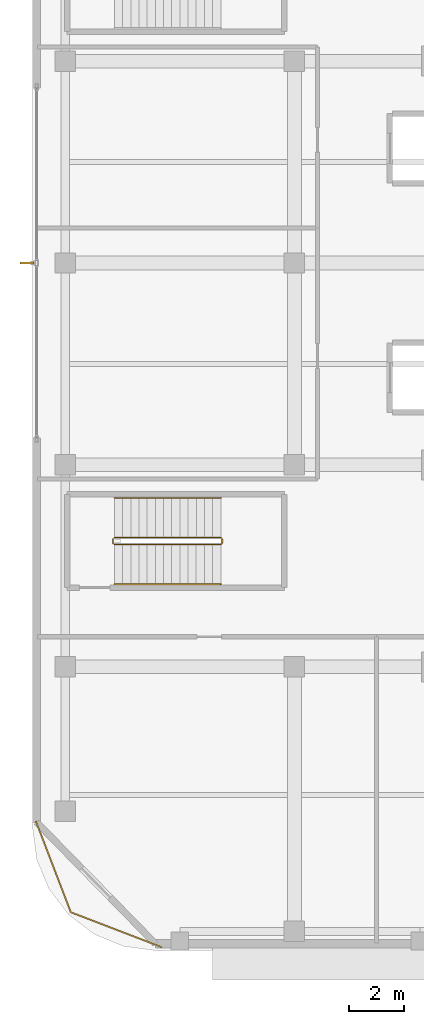
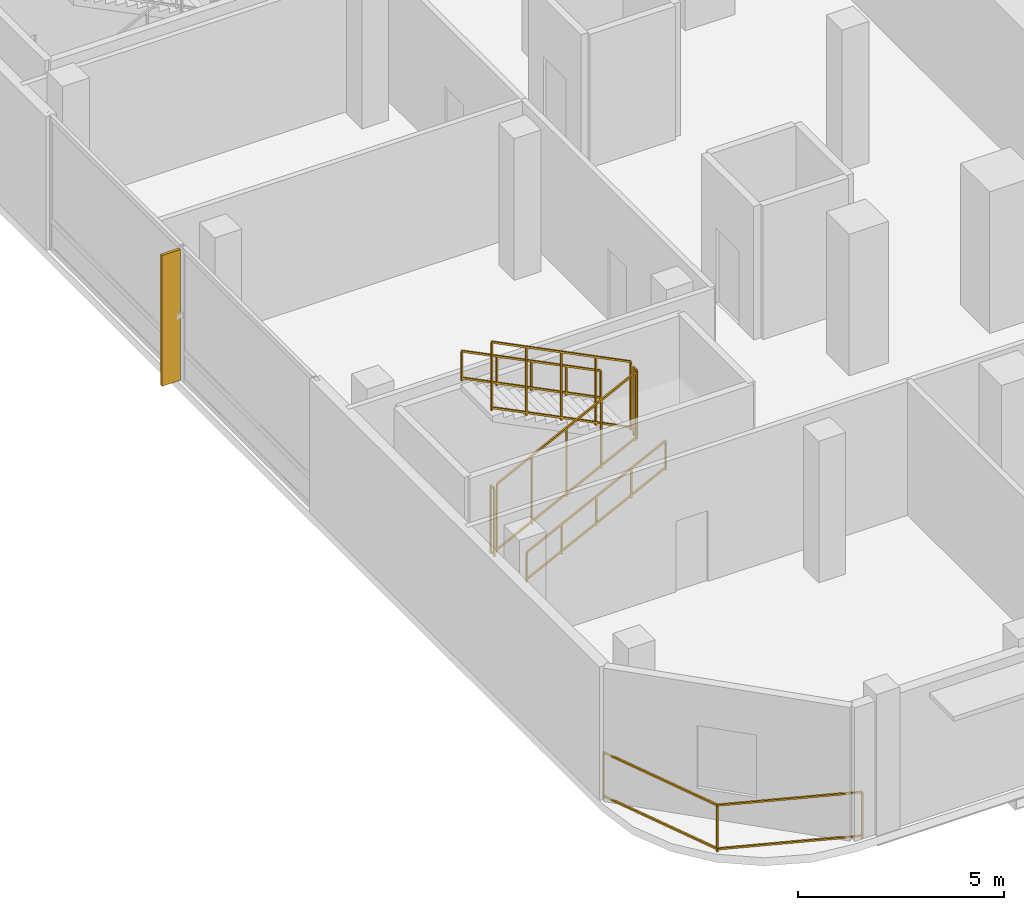
# One storey, part 13 of 19: 7 railings, 1 shading device.
"""IFC4 building model written with IfcOpenShell, lengths in metres."""

from ifc_helpers import new_model, si_unit, direction, frame, origin, origin_2d, place, context, subcontext, project, spatial, rectangle, extrude, material, layer, layer_set, type_object, element, save


model = new_model("IFC4")

# Units and contexts
model_context = context("Model", 3, precision=1e-05, world=origin(), true_north=direction((0.0, 1.0)))
body_context = subcontext(model_context, "Body", "Model", "MODEL_VIEW")
ifc_project = project(units=[si_unit("LENGTHUNIT", "METRE"), si_unit("AREAUNIT", "SQUARE_METRE"), si_unit("VOLUMEUNIT", "CUBIC_METRE"), si_unit("PLANEANGLEUNIT", "RADIAN"), si_unit("MASSUNIT", "GRAM", prefix="KILO")], contexts=[model_context])

# Site, building, storey
site_placement = place(None, origin())
site = spatial("IfcSite", under=ifc_project, at=site_placement, CompositionType="ELEMENT")
building_placement = place(site_placement, origin())
building = spatial("IfcBuilding", under=site, at=building_placement, Name="Khorvyn Point Tower", CompositionType="ELEMENT")
storey_placement = place(building_placement, frame((0.0, 0.0, 13.199951171875)))
storey = spatial("IfcBuildingStorey", under=building, at=storey_placement, Name="L04", CompositionType="ELEMENT", Elevation=13.199951171875)

# Shading device
ifc_material_1 = material(Name="Bronze anodised aluminium 6063-T6", Category="aluminium")
ifc_layer = layer(ifc_material_1, 0.074951171875)
ifc_layer_set = layer_set([ifc_layer], Name="Bronze Anodised Aluminium FIN 520x75")
shading_device_type = type_object("IfcShadingDeviceType", Name="Bronze Anodised Aluminium FIN 520x75", PredefinedType="USERDEFINED", material=ifc_layer_set)
shading_device_placement = place(storey_placement, frame((-33.800048828125, 0.0, 0.0400390625), z_axis=(0.0, 0.0, 1.0), x_axis=(-1.0, 0.0, 0.0)))
element("IfcShadingDevice", 1, at=shading_device_placement, inside=storey, type_object=shading_device_type, Name="L04 Anodised FIN 01", ObjectType="FIN", PredefinedType="USERDEFINED", context=body_context, shape_type="SweptSolid", body=[
    extrude(rectangle(XDim=0.52001953125, YDim=0.074951171875, at=origin_2d()), origin(), (0.0, 0.0, 1.0), 3.8798828125),
])

# Railings
ifc_material_2 = material(Name="Anodised aluminium 6063-T6 and laminated safety glass", Category="aluminium")
railing_type_1 = type_object("IfcRailingType", Name="Laminated Glass and Aluminium Balcony Guardrail 1400", PredefinedType="BALUSTRADE", material=ifc_material_2)
railing_1_placement = place(storey_placement, frame((-33.47412109375, -20.470703125, 0.0)))
element("IfcRailing", 2, at=railing_1_placement, inside=storey, type_object=railing_type_1, Name="L04 Rounded Corner Edge Guardrail SW", PredefinedType="BALUSTRADE", context=body_context, shape_type="SweptSolid", body=[
    extrude(rectangle(XDim=0.048095703125, YDim=0.048095703125, at=origin_2d()), frame((0.0, 0.0, 1.3759765625), z_axis=(0.35841886047, -0.933560882031, 0.0), x_axis=(0.933560882031, 0.35841886047, 0.0)), (0.0, 0.0, 1.0), 3.563232421875),
    extrude(rectangle(XDim=0.048095703125, YDim=0.048095703125, at=origin_2d()), frame((0.0, 0.0, 0.080078125), z_axis=(0.35841886047, -0.933560882031, 0.0), x_axis=(0.933560882031, 0.35841886047, 0.0)), (0.0, 0.0, 1.0), 3.563232421875),
    extrude(rectangle(XDim=0.048095703125, YDim=0.048095703125, at=origin_2d()), frame((1.277099609375, -3.326416015625, 1.3759765625), z_axis=(0.933575007025, -0.358382067435, 0.0), x_axis=(0.358382067435, 0.933575007025, 0.0)), (0.0, 0.0, 1.0), 3.562744140625),
    extrude(rectangle(XDim=0.048095703125, YDim=0.048095703125, at=origin_2d()), frame((1.277099609375, -3.326416015625, 0.080078125), z_axis=(0.933575007025, -0.358382067435, 0.0), x_axis=(0.358382067435, 0.933575007025, 0.0)), (0.0, 0.0, 1.0), 3.562744140625),
    extrude(rectangle(XDim=0.0419921875, YDim=0.0419921875, at=origin_2d()), origin(), (0.0, 0.0, 1.0), 1.351806640625),
    extrude(rectangle(XDim=0.0419921875, YDim=0.0419921875, at=origin_2d()), frame((1.277099609375, -3.326416015625, 0.0)), (0.0, 0.0, 1.0), 1.351806640625),
    extrude(rectangle(XDim=0.0419921875, YDim=0.0419921875, at=origin_2d()), frame((4.603271484375, -4.603271484375, 0.0)), (0.0, 0.0, 1.0), 1.351806640625),
])
ifc_material_3 = material(Name="Stainless steel 1.4301", Category="steel")
railing_type_2 = type_object("IfcRailingType", Name="Stainless Steel 304 Stair Pitch Handrail 900", PredefinedType="HANDRAIL", material=ifc_material_3)
railing_2_placement = place(storey_placement, frame((-30.60009765625, -11.77001953125, 0.150146484375)))
element("IfcRailing", 3, at=railing_2_placement, inside=storey, type_object=railing_type_2, Name="L04 ST-S1 stair handrail 1", PredefinedType="HANDRAIL", context=body_context, shape_type="SweptSolid", body=[
    extrude(rectangle(XDim=0.048095703125, YDim=0.048095703125, at=origin_2d()), frame((0.0, 0.0, 0.8759765625), z_axis=(0.894438388696, 0.0, 0.447191199406), x_axis=(0.0, 1.0, 0.0)), (0.0, 0.0, 1.0), 4.3603515625),
    extrude(rectangle(XDim=0.048095703125, YDim=0.048095703125, at=origin_2d()), frame((0.0, 0.0, 0.080078125), z_axis=(0.894438388696, 0.0, 0.447191199406), x_axis=(0.0, 1.0, 0.0)), (0.0, 0.0, 1.0), 4.3603515625),
    extrude(rectangle(XDim=0.0419921875, YDim=0.0419921875, at=origin_2d()), origin(), (0.0, 0.0, 1.0), 0.851806640625),
    extrude(rectangle(XDim=0.0419921875, YDim=0.0419921875, at=origin_2d()), frame((0.97509765625, 0.0, 0.487548828125)), (0.0, 0.0, 1.0), 0.851806640625),
    extrude(rectangle(XDim=0.0419921875, YDim=0.0419921875, at=origin_2d()), frame((1.9501953125, 0.0, 0.97509765625)), (0.0, 0.0, 1.0), 0.851806640625),
    extrude(rectangle(XDim=0.0419921875, YDim=0.0419921875, at=origin_2d()), frame((2.925048828125, 0.0, 1.46240234375)), (0.0, 0.0, 1.0), 0.851806640625),
    extrude(rectangle(XDim=0.0419921875, YDim=0.0419921875, at=origin_2d()), frame((3.900146484375, 0.0, 1.949951171875)), (0.0, 0.0, 1.0), 0.851806640625),
])
railing_3_placement = place(storey_placement, frame((-26.699951171875, -8.610107421875, 2.25)))
element("IfcRailing", 4, at=railing_3_placement, inside=storey, type_object=railing_type_2, Name="L04 ST-S1 stair handrail 2", PredefinedType="HANDRAIL", context=body_context, shape_type="SweptSolid", body=[
    extrude(rectangle(XDim=0.048095703125, YDim=0.048095703125, at=origin_2d()), frame((0.0, 0.0, 0.8759765625), z_axis=(-0.894438388696, 0.0, 0.447191199406), x_axis=(0.0, -1.0, 0.0)), (0.0, 0.0, 1.0), 4.3603515625),
    extrude(rectangle(XDim=0.048095703125, YDim=0.048095703125, at=origin_2d()), frame((0.0, 0.0, 0.080078125), z_axis=(-0.894438388696, 0.0, 0.447191199406), x_axis=(0.0, -1.0, 0.0)), (0.0, 0.0, 1.0), 4.3603515625),
    extrude(rectangle(XDim=0.0419921875, YDim=0.0419921875, at=origin_2d()), origin(), (0.0, 0.0, 1.0), 0.851806640625),
    extrude(rectangle(XDim=0.0419921875, YDim=0.0419921875, at=origin_2d()), frame((-0.97509765625, 0.0, 0.487548828125)), (0.0, 0.0, 1.0), 0.851806640625),
    extrude(rectangle(XDim=0.0419921875, YDim=0.0419921875, at=origin_2d()), frame((-1.9501953125, 0.0, 0.97509765625)), (0.0, 0.0, 1.0), 0.851806640625),
    extrude(rectangle(XDim=0.0419921875, YDim=0.0419921875, at=origin_2d()), frame((-2.925048828125, 0.0, 1.46240234375)), (0.0, 0.0, 1.0), 0.851806640625),
    extrude(rectangle(XDim=0.0419921875, YDim=0.0419921875, at=origin_2d()), frame((-3.900146484375, 0.0, 1.949951171875)), (0.0, 0.0, 1.0), 0.851806640625),
])
railing_type_3 = type_object("IfcRailingType", Name="Stainless Steel 304 Stair Well Guardrail 1400", PredefinedType="GUARDRAIL", material=ifc_material_3)
railing_4_placement = place(storey_placement, frame((-30.60009765625, -10.320068359375, 0.150146484375)))
element("IfcRailing", 5, at=railing_4_placement, inside=storey, type_object=railing_type_3, Name="L04 ST-S1 stair guard 1", PredefinedType="GUARDRAIL", context=body_context, shape_type="SweptSolid", body=[
    extrude(rectangle(XDim=0.048095703125, YDim=0.048095703125, at=origin_2d()), frame((0.0, 0.0, 2.02587890625), z_axis=(0.894438388696, 0.0, 0.447191199406), x_axis=(0.0, 1.0, 0.0)), (0.0, 0.0, 1.0), 4.3603515625),
    extrude(rectangle(XDim=0.048095703125, YDim=0.048095703125, at=origin_2d()), frame((0.0, 0.0, 0.080078125), z_axis=(0.894438388696, 0.0, 0.447191199406), x_axis=(0.0, 1.0, 0.0)), (0.0, 0.0, 1.0), 4.3603515625),
    extrude(rectangle(XDim=0.0419921875, YDim=0.0419921875, at=origin_2d()), origin(), (0.0, 0.0, 1.0), 2.001953125),
    extrude(rectangle(XDim=0.0419921875, YDim=0.0419921875, at=origin_2d()), frame((0.97509765625, 0.0, 0.487548828125)), (0.0, 0.0, 1.0), 2.001953125),
    extrude(rectangle(XDim=0.0419921875, YDim=0.0419921875, at=origin_2d()), frame((1.9501953125, 0.0, 0.97509765625)), (0.0, 0.0, 1.0), 2.001953125),
    extrude(rectangle(XDim=0.0419921875, YDim=0.0419921875, at=origin_2d()), frame((2.925048828125, 0.0, 1.46240234375)), (0.0, 0.0, 1.0), 2.001953125),
    extrude(rectangle(XDim=0.0419921875, YDim=0.0419921875, at=origin_2d()), frame((3.900146484375, 0.0, 1.949951171875)), (0.0, 0.0, 1.0), 2.001953125),
])
railing_5_placement = place(storey_placement, frame((-26.64990234375, -10.27001953125, 2.10009765625)))
element("IfcRailing", 6, at=railing_5_placement, inside=storey, type_object=railing_type_3, Name="L04 ST-S1 stair guard 2", PredefinedType="GUARDRAIL", context=body_context, shape_type="SweptSolid", body=[
    extrude(rectangle(XDim=0.048095703125, YDim=0.048095703125, at=origin_2d()), frame((0.0, 0.0, 2.02587890625), z_axis=(0.0, 1.0, 0.0), x_axis=(-1.0, 0.0, 0.0)), (0.0, 0.0, 1.0), 0.159912109375),
    extrude(rectangle(XDim=0.048095703125, YDim=0.048095703125, at=origin_2d()), frame((0.0, 0.0, 0.080078125), z_axis=(0.0, 1.0, 0.0), x_axis=(-1.0, 0.0, 0.0)), (0.0, 0.0, 1.0), 0.159912109375),
    extrude(rectangle(XDim=0.0419921875, YDim=0.0419921875, at=origin_2d()), origin(), (0.0, 0.0, 1.0), 2.001953125),
    extrude(rectangle(XDim=0.0419921875, YDim=0.0419921875, at=origin_2d()), frame((0.0, 0.159912109375, 0.0)), (0.0, 0.0, 1.0), 2.001953125),
])
railing_6_placement = place(storey_placement, frame((-26.699951171875, -10.06005859375, 2.25)))
element("IfcRailing", 7, at=railing_6_placement, inside=storey, type_object=railing_type_3, Name="L04 ST-S1 stair guard 3", PredefinedType="GUARDRAIL", context=body_context, shape_type="SweptSolid", body=[
    extrude(rectangle(XDim=0.048095703125, YDim=0.048095703125, at=origin_2d()), frame((0.0, 0.0, 2.02587890625), z_axis=(-0.894438388696, 0.0, 0.447191199406), x_axis=(0.0, -1.0, 0.0)), (0.0, 0.0, 1.0), 4.3603515625),
    extrude(rectangle(XDim=0.048095703125, YDim=0.048095703125, at=origin_2d()), frame((0.0, 0.0, 0.080078125), z_axis=(-0.894438388696, 0.0, 0.447191199406), x_axis=(0.0, -1.0, 0.0)), (0.0, 0.0, 1.0), 4.3603515625),
    extrude(rectangle(XDim=0.0419921875, YDim=0.0419921875, at=origin_2d()), origin(), (0.0, 0.0, 1.0), 2.001953125),
    extrude(rectangle(XDim=0.0419921875, YDim=0.0419921875, at=origin_2d()), frame((-0.97509765625, 0.0, 0.487548828125)), (0.0, 0.0, 1.0), 2.001953125),
    extrude(rectangle(XDim=0.0419921875, YDim=0.0419921875, at=origin_2d()), frame((-1.9501953125, 0.0, 0.97509765625)), (0.0, 0.0, 1.0), 2.001953125),
    extrude(rectangle(XDim=0.0419921875, YDim=0.0419921875, at=origin_2d()), frame((-2.925048828125, 0.0, 1.46240234375)), (0.0, 0.0, 1.0), 2.001953125),
    extrude(rectangle(XDim=0.0419921875, YDim=0.0419921875, at=origin_2d()), frame((-3.900146484375, 0.0, 1.949951171875)), (0.0, 0.0, 1.0), 2.001953125),
])
railing_7_placement = place(storey_placement, frame((-30.64990234375, -10.27001953125, 0.0)))
element("IfcRailing", 8, at=railing_7_placement, inside=storey, type_object=railing_type_3, Name="L04 ST-S1 stair guard 4", PredefinedType="GUARDRAIL", context=body_context, shape_type="SweptSolid", body=[
    extrude(rectangle(XDim=0.048095703125, YDim=0.048095703125, at=origin_2d()), frame((0.0, 0.0, 2.02587890625), z_axis=(0.0, 1.0, 0.0), x_axis=(-1.0, 0.0, 0.0)), (0.0, 0.0, 1.0), 0.159912109375),
    extrude(rectangle(XDim=0.048095703125, YDim=0.048095703125, at=origin_2d()), frame((0.0, 0.0, 0.080078125), z_axis=(0.0, 1.0, 0.0), x_axis=(-1.0, 0.0, 0.0)), (0.0, 0.0, 1.0), 0.159912109375),
    extrude(rectangle(XDim=0.0419921875, YDim=0.0419921875, at=origin_2d()), origin(), (0.0, 0.0, 1.0), 2.001953125),
    extrude(rectangle(XDim=0.0419921875, YDim=0.0419921875, at=origin_2d()), frame((0.0, 0.159912109375, 0.0)), (0.0, 0.0, 1.0), 2.001953125),
])

save(model, "model.ifc")
